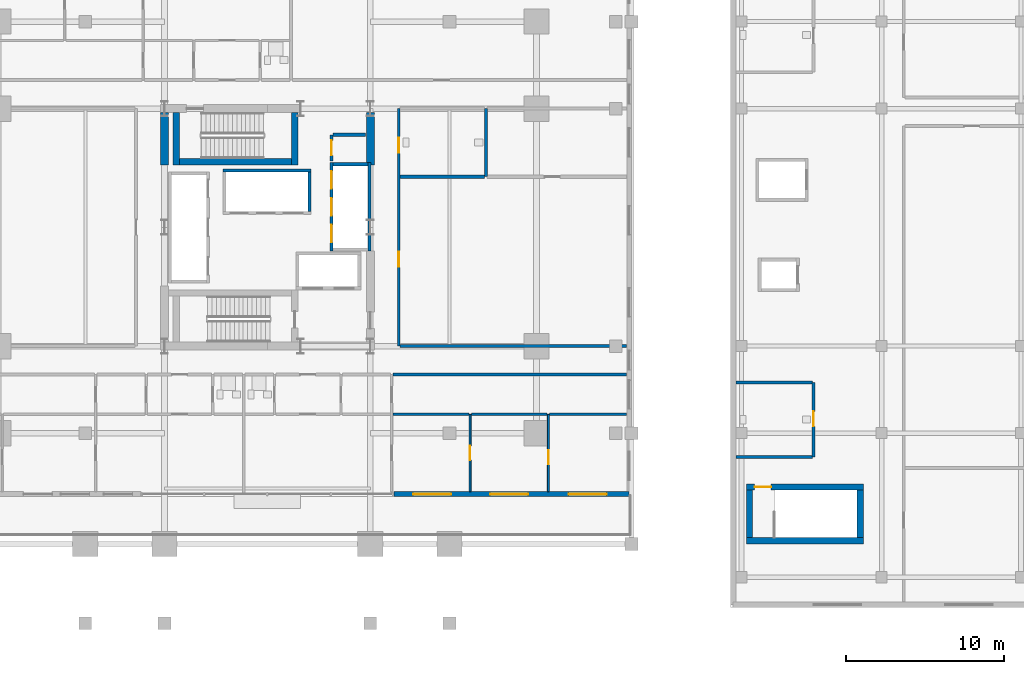
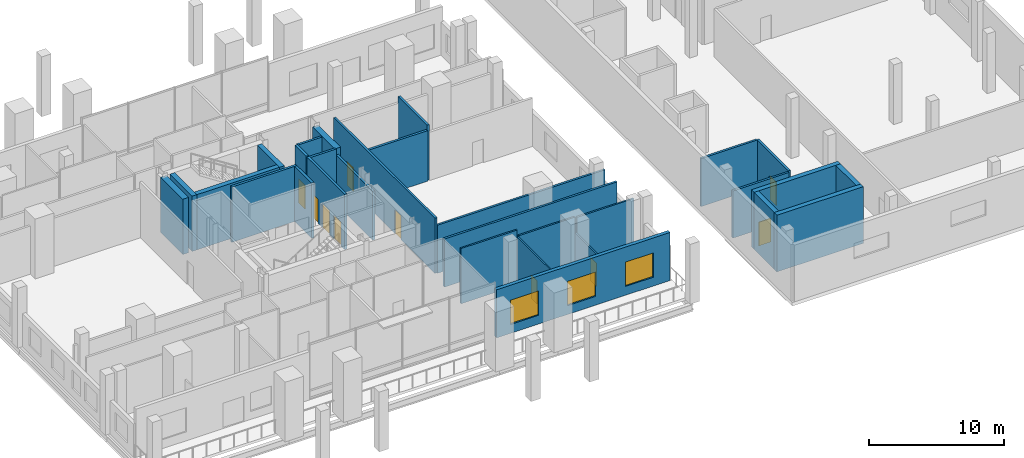
# One storey, part 18 of 25: 30 walls, 10 doors, 3 windows, 13 openings.
"""IFC4 building model written with IfcOpenShell, lengths in metres."""

from ifc_helpers import new_model, si_unit, direction, frame, frame_2d, origin, place, context, subcontext, project, spatial, rectangle, extrude, material, layer, layer_set, type_object, element, fill, save


model = new_model("IFC4")

# Units and contexts
model_context = context("Model", 3, precision=1e-05, world=origin(), true_north=direction((0.0, 1.0)))
body_context = subcontext(model_context, "Body", "Model", "MODEL_VIEW")
ifc_project = project(units=[si_unit("LENGTHUNIT", "METRE"), si_unit("AREAUNIT", "SQUARE_METRE"), si_unit("VOLUMEUNIT", "CUBIC_METRE"), si_unit("PLANEANGLEUNIT", "RADIAN"), si_unit("MASSUNIT", "GRAM", prefix="KILO")], contexts=[model_context])

# Site, building, storey
site_placement = place(None, origin())
site = spatial("IfcSite", under=ifc_project, at=site_placement, CompositionType="ELEMENT")
building_placement = place(site_placement, origin())
building = spatial("IfcBuilding", under=site, at=building_placement, Name="Barlavira Tower and Art Museum", CompositionType="ELEMENT")
storey_placement = place(building_placement, frame((0.0, 0.0, 22.199951171875)))
storey = spatial("IfcBuildingStorey", under=building, at=storey_placement, Name="L04", CompositionType="ELEMENT", Elevation=22.199951171875)

# Wall, opening, door
ifc_material_1 = material(Name="Gypsum acoustic stud partition", Category="gypsum")
ifc_layer_1 = layer(ifc_material_1, 0.1201171875, Name="Gypsum acoustic stud partition")
ifc_layer_set_1 = layer_set([ifc_layer_1], Name="Gypsum acoustic stud partition")
wall_type_1 = type_object("IfcWallType", Name="Apartment Internal Acoustic Partition 120", PredefinedType="PARTITIONING", material=ifc_layer_set_1)
wall_1_placement = place(storey_placement, frame((12.800048828125, -16.695068359375, 0.0), z_axis=(0.0, 0.0, 1.0), x_axis=(0.0, 1.0, 0.0)))
wall_1 = element("IfcWall", 1, at=wall_1_placement, inside=storey, type_object=wall_type_1, Name="L04 Partition Wall 18", PredefinedType="PARTITIONING", context=body_context, shape_type="SweptSolid", body=[
    extrude(rectangle(XDim=4.875, YDim=0.1201171875, at=frame_2d((2.4375, 0.0))), origin(), (0.0, 0.0, 1.0), 4.35595703125),
])
opening_1_placement = place(wall_1_placement, frame((1.985107421875, 0.0, 0.0)))
opening_1 = element("IfcOpeningElement", 2, at=opening_1_placement, cuts=wall_1, Name="Opening D-01", PredefinedType="OPENING", context=body_context, shape_type="SweptSolid", body=[
    extrude(rectangle(XDim=0.89990234375, YDim=2.10009765625, at=frame_2d((0.449951171875, 1.050048828125))), frame((0.0, 0.070068359375, 0.0), z_axis=(0.0, -1.0, 0.0), x_axis=(1.0, 0.0, 0.0)), (0.0, 0.0, 1.0), 0.14013671875),
])
ifc_material_2 = material(Name="Engineered coastal hardwood", Category="wood")
door_type_1 = type_object("IfcDoorType", Name="Internal Bedroom Timber Flush Door 900x2100", OperationType="NOTDEFINED", PredefinedType="DOOR", material=ifc_material_2)
door_1_placement = place(opening_1_placement, origin())
door_1 = element("IfcDoor", 3, at=door_1_placement, inside=storey, type_object=door_type_1, Name="Apartment P4-SE Bedroom 2 Door", OperationType="SINGLE_SWING_LEFT", OverallHeight=2.10009765625, OverallWidth=0.89990234375, PredefinedType="DOOR", context=body_context, shape_type="SweptSolid", body=[
    extrude(rectangle(XDim=0.89990234375, YDim=2.10009765625, at=frame_2d((0.449951171875, 1.050048828125))), frame((0.0, 0.02490234375, 0.0), z_axis=(0.0, -1.0, 0.0), x_axis=(1.0, 0.0, 0.0)), (0.0, 0.0, 1.0), 0.050048828125),
])
fill(opening_1, door_1)

wall_2_placement = place(storey_placement, frame((17.75, -16.695068359375, 0.0), z_axis=(0.0, 0.0, 1.0), x_axis=(0.0, 1.0, 0.0)))
wall_2 = element("IfcWall", 4, at=wall_2_placement, inside=storey, type_object=wall_type_1, Name="L04 Partition Wall 20", PredefinedType="PARTITIONING", context=body_context, shape_type="SweptSolid", body=[
    extrude(rectangle(XDim=4.875, YDim=0.1201171875, at=frame_2d((2.4375, 0.0))), origin(), (0.0, 0.0, 1.0), 2.985107421875),
])
opening_2_placement = place(wall_2_placement, frame((1.720703125, 0.0, 0.0)))
opening_2 = element("IfcOpeningElement", 5, at=opening_2_placement, cuts=wall_2, Name="Opening D-01", PredefinedType="OPENING", context=body_context, shape_type="SweptSolid", body=[
    extrude(rectangle(XDim=0.89990234375, YDim=2.10009765625, at=frame_2d((0.449951171875, 1.050048828125))), frame((0.0, 0.070068359375, 0.0), z_axis=(0.0, -1.0, 0.0), x_axis=(1.0, 0.0, 0.0)), (0.0, 0.0, 1.0), 0.14013671875),
])
door_2_placement = place(opening_2_placement, origin())
door_2 = element("IfcDoor", 6, at=door_2_placement, inside=storey, type_object=door_type_1, Name="Apartment P4-SE Sunroom Lounge 3 Door", OperationType="SINGLE_SWING_RIGHT", OverallHeight=2.10009765625, OverallWidth=0.89990234375, PredefinedType="DOOR", context=body_context, shape_type="SweptSolid", body=[
    extrude(rectangle(XDim=0.89990234375, YDim=2.10009765625, at=frame_2d((0.449951171875, 1.050048828125))), frame((0.0, 0.02490234375, 0.0), z_axis=(0.0, -1.0, 0.0), x_axis=(1.0, 0.0, 0.0)), (0.0, 0.0, 1.0), 0.050048828125),
])
fill(opening_2, door_2)

# Walls
ifc_material_3 = material(Name="Concrete C60", Category="concrete")
ifc_layer_2 = layer(ifc_material_3, 0.5, Name="Concrete C60")
ifc_layer_set_2 = layer_set([ifc_layer_2], Name="Concrete C60")
wall_type_2 = type_object("IfcWallType", Name="Core Structural Shear Wall 500 Concrete C60", PredefinedType="SHEAR", material=ifc_layer_set_2)
for number, where, z_axis, x_axis, name in (
    (7, (-6.5, 3.949951171875, 0.0), (0.0, 0.0, 1.0), (0.0, 1.0, 0.0), "L04 Core Shear Wall CS-W2"),
    (8, (6.5, 3.949951171875, 0.0), (0.0, 0.0, 1.0), (0.0, 1.0, 0.0), "L04 Core Shear Wall CS-E2"),
):
    element("IfcWall", number, at=place(storey_placement, frame(where, z_axis=z_axis, x_axis=x_axis)), inside=storey, type_object=wall_type_2, Name=name, PredefinedType="SHEAR", context=body_context, shape_type="SweptSolid", body=[
        extrude(rectangle(XDim=3.300048828125, YDim=0.5, at=frame_2d((1.64990234375, 0.0))), origin(), (0.0, 0.0, 1.0), 5.0),
    ])

# Wall, openings, doors
ifc_material_4 = material(Name="Autoclaved aerated concrete masonry", Category="masonry")
ifc_layer_3 = layer(ifc_material_4, 0.199951171875, Name="Autoclaved aerated concrete masonry")
ifc_layer_set_3 = layer_set([ifc_layer_3], Name="Autoclaved aerated concrete masonry")
wall_type_3 = type_object("IfcWallType", Name="Fire Compartment and Shaft Wall 200", PredefinedType="SOLIDWALL", material=ifc_layer_set_3)
wall_3_placement = place(storey_placement, frame((4.050048828125, -1.489990234375, 0.0), z_axis=(0.0, 0.0, 1.0), x_axis=(0.0, 1.0, 0.0)))
wall_3 = element("IfcWall", 9, at=wall_3_placement, inside=storey, type_object=wall_type_3, Name="L04 Mid-Rise Lift Front Shaft Wall", PredefinedType="SOLIDWALL", context=body_context, shape_type="SweptSolid", body=[
    extrude(rectangle(XDim=5.580078125, YDim=0.199951171875, at=frame_2d((2.7900390625, 0.0))), origin(), (0.0, 0.0, 1.0), 5.0),
])
opening_3_placement = place(wall_3_placement, frame((0.5400390625, 0.0, 0.0)))
opening_3 = element("IfcOpeningElement", 10, at=opening_3_placement, cuts=wall_3, Name="Opening LD-P", PredefinedType="OPENING", context=body_context, shape_type="SweptSolid", body=[
    extrude(rectangle(XDim=1.10009765625, YDim=2.14990234375, at=frame_2d((0.550048828125, 1.074951171875))), frame((0.0, 0.10986328125, 0.0), z_axis=(0.0, -1.0, 0.0), x_axis=(1.0, 0.0, 0.0)), (0.0, 0.0, 1.0), 0.219970703125),
])
opening_4_placement = place(wall_3_placement, frame((2.239990234375, 0.0, 0.0)))
opening_4 = element("IfcOpeningElement", 11, at=opening_4_placement, cuts=wall_3, Name="Opening LD-P", PredefinedType="OPENING", context=body_context, shape_type="SweptSolid", body=[
    extrude(rectangle(XDim=1.10009765625, YDim=2.14990234375, at=frame_2d((0.550048828125, 1.074951171875))), frame((0.0, 0.10986328125, 0.0), z_axis=(0.0, -1.0, 0.0), x_axis=(1.0, 0.0, 0.0)), (0.0, 0.0, 1.0), 0.219970703125),
])
opening_5_placement = place(wall_3_placement, frame((3.93994140625, 0.0, 0.0)))
opening_5 = element("IfcOpeningElement", 12, at=opening_5_placement, cuts=wall_3, Name="Opening LD-P", PredefinedType="OPENING", context=body_context, shape_type="SweptSolid", body=[
    extrude(rectangle(XDim=1.10009765625, YDim=2.14990234375, at=frame_2d((0.550048828125, 1.074951171875))), frame((0.0, 0.10986328125, 0.0), z_axis=(0.0, -1.0, 0.0), x_axis=(1.0, 0.0, 0.0)), (0.0, 0.0, 1.0), 0.219970703125),
])
ifc_material_5 = material(Name="Brushed stainless steel", Category="steel")
door_type_2 = type_object("IfcDoorType", Name="Passenger Lift Sliding Landing Door 1100x2150 FD60", OperationType="NOTDEFINED", PredefinedType="DOOR", material=ifc_material_5)
door_3_placement = place(opening_3_placement, origin())
door_3 = element("IfcDoor", 13, at=door_3_placement, inside=storey, type_object=door_type_2, Name="L04 Lift PM1 Sliding Landing Door", OperationType="DOUBLE_DOOR_SLIDING", OverallHeight=2.14990234375, OverallWidth=1.10009765625, PredefinedType="DOOR", context=body_context, shape_type="SweptSolid", body=[
    extrude(rectangle(XDim=1.10009765625, YDim=2.14990234375, at=frame_2d((0.550048828125, 1.074951171875))), frame((0.0, 0.02490234375, 0.0), z_axis=(0.0, -1.0, 0.0), x_axis=(1.0, 0.0, 0.0)), (0.0, 0.0, 1.0), 0.050048828125),
])
fill(opening_3, door_3)
door_4_placement = place(opening_4_placement, origin())
door_4 = element("IfcDoor", 14, at=door_4_placement, inside=storey, type_object=door_type_2, Name="L04 Lift PM2 Sliding Landing Door", OperationType="DOUBLE_DOOR_SLIDING", OverallHeight=2.14990234375, OverallWidth=1.10009765625, PredefinedType="DOOR", context=body_context, shape_type="SweptSolid", body=[
    extrude(rectangle(XDim=1.10009765625, YDim=2.14990234375, at=frame_2d((0.550048828125, 1.074951171875))), frame((0.0, 0.02490234375, 0.0), z_axis=(0.0, -1.0, 0.0), x_axis=(1.0, 0.0, 0.0)), (0.0, 0.0, 1.0), 0.050048828125),
])
fill(opening_4, door_4)
door_5_placement = place(opening_5_placement, origin())
door_5 = element("IfcDoor", 15, at=door_5_placement, inside=storey, type_object=door_type_2, Name="L04 Lift PM3 Sliding Landing Door", OperationType="DOUBLE_DOOR_SLIDING", OverallHeight=2.14990234375, OverallWidth=1.10009765625, PredefinedType="DOOR", context=body_context, shape_type="SweptSolid", body=[
    extrude(rectangle(XDim=1.10009765625, YDim=2.14990234375, at=frame_2d((0.550048828125, 1.074951171875))), frame((0.0, 0.02490234375, 0.0), z_axis=(0.0, -1.0, 0.0), x_axis=(1.0, 0.0, 0.0)), (0.0, 0.0, 1.0), 0.050048828125),
])
fill(opening_5, door_5)

# Walls
wall_4_placement = place(storey_placement, frame((6.449951171875, -1.489990234375, 0.0), z_axis=(0.0, 0.0, 1.0), x_axis=(0.0, 1.0, 0.0)))
element("IfcWall", 16, at=wall_4_placement, inside=storey, type_object=wall_type_3, Name="L04 Mid-Rise Lift Back Shaft Wall", PredefinedType="SOLIDWALL", context=body_context, shape_type="SweptSolid", body=[
    extrude(rectangle(XDim=5.580078125, YDim=0.199951171875, at=frame_2d((2.7900390625, 0.0))), origin(), (0.0, 0.0, 1.0), 4.43603515625),
])
wall_5_placement = place(storey_placement, frame((4.14990234375, 3.989990234375, 0.0), z_axis=(0.0, 0.0, 1.0), x_axis=(1.0, 0.0, 0.0)))
element("IfcWall", 17, at=wall_5_placement, inside=storey, type_object=wall_type_3, Name="L04 Mid-Rise Lift North Shaft Wall", PredefinedType="SOLIDWALL", context=body_context, shape_type="SweptSolid", body=[
    extrude(rectangle(XDim=2.2001953125, YDim=0.199951171875, at=frame_2d((1.10009765625, 0.0))), origin(), (0.0, 0.0, 1.0), 5.0),
])
wall_6_placement = place(storey_placement, frame((-2.820068359375, 3.60009765625, 0.0), z_axis=(0.0, 0.0, 1.0), x_axis=(1.0, 0.0, 0.0)))
element("IfcWall", 18, at=wall_6_placement, inside=storey, type_object=wall_type_3, Name="L04 High-Rise & Service Lift Back Wall", PredefinedType="SOLIDWALL", context=body_context, shape_type="SweptSolid", body=[
    extrude(rectangle(XDim=5.580078125, YDim=0.199951171875, at=frame_2d((2.7900390625, 0.0))), origin(), (0.0, 0.0, 1.0), 5.0),
])
wall_7_placement = place(storey_placement, frame((2.659912109375, 1.0, 0.0), z_axis=(0.0, 0.0, 1.0), x_axis=(0.0, 1.0, 0.0)))
element("IfcWall", 19, at=wall_7_placement, inside=storey, type_object=wall_type_3, Name="L04 High-Rise & Service Lift East Wall", PredefinedType="SOLIDWALL", context=body_context, shape_type="SweptSolid", body=[
    extrude(rectangle(XDim=2.5, YDim=0.199951171875, at=frame_2d((1.25, 0.0))), origin(), (0.0, 0.0, 1.0), 5.0),
])

# Wall, opening, door
wall_8_placement = place(storey_placement, frame((4.050048828125, 4.199951171875, 0.0), z_axis=(0.0, 0.0, 1.0), x_axis=(0.0, 1.0, 0.0)))
wall_8 = element("IfcWall", 20, at=wall_8_placement, inside=storey, type_object=wall_type_3, Name="L04 Partition Wall 14", PredefinedType="SOLIDWALL", context=body_context, shape_type="SweptSolid", body=[
    extrude(rectangle(XDim=1.650146484375, YDim=0.199951171875, at=frame_2d((0.8251953125, 0.0))), origin(), (0.0, 0.0, 1.0), 5.0),
])
opening_6_placement = place(wall_8_placement, frame((0.344970703125, 0.0, 0.0)))
opening_6 = element("IfcOpeningElement", 21, at=opening_6_placement, cuts=wall_8, Name="Opening FD-60", PredefinedType="OPENING", context=body_context, shape_type="SweptSolid", body=[
    extrude(rectangle(XDim=0.949951171875, YDim=2.14990234375, at=frame_2d((0.47509765625, 1.074951171875))), frame((0.0, 0.10986328125, 0.0), z_axis=(0.0, -1.0, 0.0), x_axis=(1.0, 0.0, 0.0)), (0.0, 0.0, 1.0), 0.219970703125),
])
door_type_3 = type_object("IfcDoorType", Name="Apartment Entrance and Riser Fire Door 950x2150 FD60S", OperationType="NOTDEFINED", PredefinedType="DOOR", material=ifc_material_5)
door_6_placement = place(opening_6_placement, origin())
door_6 = element("IfcDoor", 22, at=door_6_placement, inside=storey, type_object=door_type_3, Name="Telecom and BMS Distribution Room Door", OperationType="SINGLE_SWING_LEFT", OverallHeight=2.14990234375, OverallWidth=0.949951171875, PredefinedType="DOOR", context=body_context, shape_type="SweptSolid", body=[
    extrude(rectangle(XDim=0.949951171875, YDim=2.14990234375, at=frame_2d((0.47509765625, 1.074951171875))), frame((0.0, 0.02490234375, 0.0), z_axis=(0.0, -1.0, 0.0), x_axis=(1.0, 0.0, 0.0)), (0.0, 0.0, 1.0), 0.050048828125),
])
fill(opening_6, door_6)

# Walls
wall_9_placement = place(storey_placement, frame((13.800048828125, 3.199951171875, 0.0), z_axis=(0.0, 0.0, 1.0), x_axis=(0.0, 1.0, 0.0)))
element("IfcWall", 23, at=wall_9_placement, inside=storey, type_object=wall_type_3, Name="L04 Partition Wall 19", PredefinedType="SOLIDWALL", context=body_context, shape_type="SweptSolid", body=[
    extrude(rectangle(XDim=4.300048828125, YDim=0.199951171875, at=frame_2d((2.14990234375, 0.0))), origin(), (0.0, 0.0, 1.0), 5.0),
])
wall_10_placement = place(storey_placement, frame((8.3798828125, 3.199951171875, 0.0), z_axis=(0.0, 0.0, 1.0), x_axis=(1.0, 0.0, 0.0)))
element("IfcWall", 24, at=wall_10_placement, inside=storey, type_object=wall_type_3, Name="L04 Partition Wall 49", PredefinedType="SOLIDWALL", context=body_context, shape_type="SweptSolid", body=[
    extrude(rectangle(XDim=5.340087890625, YDim=0.199951171875, at=frame_2d((2.669921875, 0.0))), origin(), (0.0, 0.0, 1.0), 4.568115234375),
])
wall_11_placement = place(storey_placement, frame((4.1298828125, 5.85009765625, 0.0), z_axis=(0.0, 0.0, 1.0), x_axis=(1.0, 0.0, 0.0)))
element("IfcWall", 25, at=wall_11_placement, inside=storey, type_object=wall_type_3, Name="L04 Partition Wall 51", PredefinedType="SOLIDWALL", context=body_context, shape_type="SweptSolid", body=[
    extrude(rectangle(XDim=2.070068359375, YDim=0.199951171875, at=frame_2d((1.03515625, 0.0))), origin(), (0.0, 0.0, 1.0), 5.0),
])

# Wall, openings, doors
ifc_layer_4 = layer(ifc_material_1, 0.179931640625, Name="Gypsum acoustic stud partition")
ifc_layer_set_4 = layer_set([ifc_layer_4], Name="Gypsum acoustic stud partition")
wall_type_4 = type_object("IfcWallType", Name="Inter-Tenancy Party Partition Wall 180", PredefinedType="PARTITIONING", material=ifc_layer_set_4)
wall_12_placement = place(storey_placement, frame((8.300048828125, -7.5, 0.0), z_axis=(0.0, 0.0, 1.0), x_axis=(0.0, 1.0, 0.0)))
wall_12 = element("IfcWall", 26, at=wall_12_placement, inside=storey, type_object=wall_type_4, Name="L04 Partition Wall 17", PredefinedType="PARTITIONING", context=body_context, shape_type="SweptSolid", body=[
    extrude(rectangle(XDim=15.0, YDim=0.179931640625, at=frame_2d((7.5, 0.0))), origin(), (0.0, 0.0, 1.0), 5.0),
])
opening_7_placement = place(wall_12_placement, frame((5.02490234375, 0.0, 0.0)))
opening_7 = element("IfcOpeningElement", 27, at=opening_7_placement, cuts=wall_12, Name="Opening FD-60", PredefinedType="OPENING", context=body_context, shape_type="SweptSolid", body=[
    extrude(rectangle(XDim=0.949951171875, YDim=2.14990234375, at=frame_2d((0.47509765625, 1.074951171875))), frame((0.0, 0.10009765625, 0.0), z_axis=(0.0, -1.0, 0.0), x_axis=(1.0, 0.0, 0.0)), (0.0, 0.0, 1.0), 0.199951171875),
])
opening_8_placement = place(wall_12_placement, frame((12.22509765625, 0.0, 0.0)))
opening_8 = element("IfcOpeningElement", 28, at=opening_8_placement, cuts=wall_12, Name="Opening FD-60", PredefinedType="OPENING", context=body_context, shape_type="SweptSolid", body=[
    extrude(rectangle(XDim=0.949951171875, YDim=2.14990234375, at=frame_2d((0.47509765625, 1.074951171875))), frame((0.0, 0.10009765625, 0.0), z_axis=(0.0, -1.0, 0.0), x_axis=(1.0, 0.0, 0.0)), (0.0, 0.0, 1.0), 0.199951171875),
])
door_7_placement = place(opening_7_placement, origin())
door_7 = element("IfcDoor", 29, at=door_7_placement, inside=storey, type_object=door_type_3, Name="L04 East Arcade Overlook Salon Door", OperationType="SINGLE_SWING_LEFT", OverallHeight=2.14990234375, OverallWidth=0.949951171875, PredefinedType="DOOR", context=body_context, shape_type="SweptSolid", body=[
    extrude(rectangle(XDim=0.949951171875, YDim=2.14990234375, at=frame_2d((0.47509765625, 1.074951171875))), frame((0.0, 0.02490234375, 0.0), z_axis=(0.0, -1.0, 0.0), x_axis=(1.0, 0.0, 0.0)), (0.0, 0.0, 1.0), 0.050048828125),
])
fill(opening_7, door_7)
door_8_placement = place(opening_8_placement, origin())
door_8 = element("IfcDoor", 30, at=door_8_placement, inside=storey, type_object=door_type_3, Name="L04 Podium Accessible Restroom Door", OperationType="SINGLE_SWING_RIGHT", OverallHeight=2.14990234375, OverallWidth=0.949951171875, PredefinedType="DOOR", context=body_context, shape_type="SweptSolid", body=[
    extrude(rectangle(XDim=0.949951171875, YDim=2.14990234375, at=frame_2d((0.47509765625, 1.074951171875))), frame((0.0, 0.02490234375, 0.0), z_axis=(0.0, -1.0, 0.0), x_axis=(1.0, 0.0, 0.0)), (0.0, 0.0, 1.0), 0.050048828125),
])
fill(opening_8, door_8)

# Wall, opening, door
wall_13_placement = place(storey_placement, frame((34.5, -14.5, 0.0), z_axis=(0.0, 0.0, 1.0), x_axis=(0.0, 1.0, 0.0)))
wall_13 = element("IfcWall", 31, at=wall_13_placement, inside=storey, type_object=wall_type_4, Name="L04 Partition Wall 21", PredefinedType="PARTITIONING", context=body_context, shape_type="SweptSolid", body=[
    extrude(rectangle(XDim=4.699951171875, YDim=0.179931640625, at=frame_2d((2.35009765625, 0.0))), origin(), (0.0, 0.0, 1.0), 4.34716796875),
])
opening_9_placement = place(wall_13_placement, frame((1.925048828125, 0.0, 0.0)))
opening_9 = element("IfcOpeningElement", 32, at=opening_9_placement, cuts=wall_13, Name="Opening FD-60", PredefinedType="OPENING", context=body_context, shape_type="SweptSolid", body=[
    extrude(rectangle(XDim=0.949951171875, YDim=2.14990234375, at=frame_2d((0.47509765625, 1.074951171875))), frame((0.0, 0.10009765625, 0.0), z_axis=(0.0, -1.0, 0.0), x_axis=(1.0, 0.0, 0.0)), (0.0, 0.0, 1.0), 0.199951171875),
])
door_9_placement = place(opening_9_placement, origin())
door_9 = element("IfcDoor", 33, at=door_9_placement, inside=storey, type_object=door_type_3, Name="L04 Museum Accessible Restroom Door", OperationType="SINGLE_SWING_LEFT", OverallHeight=2.14990234375, OverallWidth=0.949951171875, PredefinedType="DOOR", context=body_context, shape_type="SweptSolid", body=[
    extrude(rectangle(XDim=0.949951171875, YDim=2.14990234375, at=frame_2d((0.47509765625, 1.074951171875))), frame((0.0, 0.02490234375, 0.0), z_axis=(0.0, -1.0, 0.0), x_axis=(1.0, 0.0, 0.0)), (0.0, 0.0, 1.0), 0.050048828125),
])
fill(opening_9, door_9)

# Walls
wall_14_placement = place(storey_placement, frame((29.60498046875, -14.5, 0.0), z_axis=(0.0, 0.0, 1.0), x_axis=(1.0, 0.0, 0.0)))
element("IfcWall", 34, at=wall_14_placement, inside=storey, type_object=wall_type_4, Name="L04 Partition Wall 26", PredefinedType="PARTITIONING", context=body_context, shape_type="SweptSolid", body=[
    extrude(rectangle(XDim=4.81494140625, YDim=0.179931640625, at=frame_2d((2.407470703125, 0.0))), origin(), (0.0, 0.0, 1.0), 4.26416015625),
])
wall_15_placement = place(storey_placement, frame((29.60498046875, -9.800048828125, 0.0), z_axis=(0.0, 0.0, 1.0), x_axis=(1.0, 0.0, 0.0)))
element("IfcWall", 35, at=wall_15_placement, inside=storey, type_object=wall_type_4, Name="L04 Partition Wall 38", PredefinedType="PARTITIONING", context=body_context, shape_type="SweptSolid", body=[
    extrude(rectangle(XDim=4.81494140625, YDim=0.179931640625, at=frame_2d((2.407470703125, 0.0))), origin(), (0.0, 0.0, 1.0), 4.34716796875),
])
wall_16_placement = place(storey_placement, frame((7.929931640625, -9.300048828125, 0.0), z_axis=(0.0, 0.0, 1.0), x_axis=(1.0, 0.0, 0.0)))
element("IfcWall", 36, at=wall_16_placement, inside=storey, type_object=wall_type_4, Name="L04 Partition Wall 46", PredefinedType="PARTITIONING", context=body_context, shape_type="SweptSolid", body=[
    extrude(rectangle(XDim=14.76513671875, YDim=0.179931640625, at=frame_2d((7.382568359375, 0.0))), origin(), (0.0, 0.0, 1.0), 4.35595703125),
])
wall_17_placement = place(storey_placement, frame((8.3798828125, -7.5, 0.0), z_axis=(0.0, 0.0, 1.0), x_axis=(1.0, 0.0, 0.0)))
element("IfcWall", 37, at=wall_17_placement, inside=storey, type_object=wall_type_4, Name="L04 Partition Wall 48", PredefinedType="PARTITIONING", context=body_context, shape_type="SweptSolid", body=[
    extrude(rectangle(XDim=14.315185546875, YDim=0.179931640625, at=frame_2d((7.15771484375, 0.0))), origin(), (0.0, 0.0, 1.0), 4.35595703125),
])
ifc_layer_5 = layer(ifc_material_1, 0.139892578125, Name="Gypsum acoustic stud partition")
ifc_layer_set_5 = layer_set([ifc_layer_5], Name="Gypsum acoustic stud partition")
wall_type_5 = type_object("IfcWallType", Name="Moisture-Resistant Bathroom Partition 140", PredefinedType="PARTITIONING", material=ifc_layer_set_5)
wall_18_placement = place(storey_placement, frame((7.929931640625, -11.800048828125, 0.0), z_axis=(0.0, 0.0, 1.0), x_axis=(1.0, 0.0, 0.0)))
element("IfcWall", 38, at=wall_18_placement, inside=storey, type_object=wall_type_5, Name="L04 Partition Wall 35", PredefinedType="PARTITIONING", context=body_context, shape_type="SweptSolid", body=[
    extrude(rectangle(XDim=4.7900390625, YDim=0.139892578125, at=frame_2d((2.39501953125, 0.0))), origin(), (0.0, 0.0, 1.0), 5.0),
])
wall_19_placement = place(storey_placement, frame((12.8798828125, -11.800048828125, 0.0), z_axis=(0.0, 0.0, 1.0), x_axis=(1.0, 0.0, 0.0)))
element("IfcWall", 39, at=wall_19_placement, inside=storey, type_object=wall_type_5, Name="L04 Partition Wall 36", PredefinedType="PARTITIONING", context=body_context, shape_type="SweptSolid", body=[
    extrude(rectangle(XDim=4.7900390625, YDim=0.139892578125, at=frame_2d((2.39501953125, 0.0))), origin(), (0.0, 0.0, 1.0), 4.43603515625),
])
wall_20_placement = place(storey_placement, frame((17.830078125, -11.800048828125, 0.0), z_axis=(0.0, 0.0, 1.0), x_axis=(1.0, 0.0, 0.0)))
element("IfcWall", 40, at=wall_20_placement, inside=storey, type_object=wall_type_5, Name="L04 Partition Wall 37", PredefinedType="PARTITIONING", context=body_context, shape_type="SweptSolid", body=[
    extrude(rectangle(XDim=4.864990234375, YDim=0.139892578125, at=frame_2d((2.4326171875, 0.0))), origin(), (0.0, 0.0, 1.0), 4.35595703125),
])

# Wall, openings, windows
ifc_material_6 = material(Name="Precast concrete C40", Category="concrete")
ifc_layer_6 = layer(ifc_material_6, 0.300048828125, Name="Precast concrete C40")
ifc_layer_set_6 = layer_set([ifc_layer_6], Name="Precast concrete C40")
wall_type_6 = type_object("IfcWallType", Name="Podium Architectural Precast Facade Wall 300 Concrete C40", PredefinedType="SOLIDWALL", material=ifc_layer_set_6)
wall_21_placement = place(storey_placement, frame((22.85009765625, -16.85009765625, 0.0), z_axis=(0.0, 0.0, 1.0), x_axis=(-1.0, 0.0, 0.0)))
wall_21 = element("IfcWall", 41, at=wall_21_placement, inside=storey, type_object=wall_type_6, Name="L04 Podium South-East Wall", PredefinedType="SOLIDWALL", context=body_context, shape_type="SweptSolid", body=[
    extrude(rectangle(XDim=14.85009765625, YDim=0.300048828125, at=frame_2d((7.425048828125, 0.0))), origin(), (0.0, 0.0, 1.0), 4.35595703125),
])
opening_10_placement = place(wall_21_placement, frame((1.425048828125, 0.0, 0.800048828125)))
opening_10 = element("IfcOpeningElement", 42, at=opening_10_placement, cuts=wall_21, Name="Opening WN-02", PredefinedType="OPENING", context=body_context, shape_type="SweptSolid", body=[
    extrude(rectangle(XDim=2.39990234375, YDim=2.199951171875, at=frame_2d((1.199951171875, 1.10009765625))), frame((0.0, 0.16015625, 0.0), z_axis=(0.0, -1.0, 0.0), x_axis=(1.0, 0.0, 0.0)), (0.0, 0.0, 1.0), 0.320068359375),
])
opening_11_placement = place(wall_21_placement, frame((6.375, 0.0, 0.800048828125)))
opening_11 = element("IfcOpeningElement", 43, at=opening_11_placement, cuts=wall_21, Name="Opening WN-02", PredefinedType="OPENING", context=body_context, shape_type="SweptSolid", body=[
    extrude(rectangle(XDim=2.39990234375, YDim=2.199951171875, at=frame_2d((1.199951171875, 1.10009765625))), frame((0.0, 0.16015625, 0.0), z_axis=(0.0, -1.0, 0.0), x_axis=(1.0, 0.0, 0.0)), (0.0, 0.0, 1.0), 0.320068359375),
])
opening_12_placement = place(wall_21_placement, frame((11.25, 0.0, 0.800048828125)))
opening_12 = element("IfcOpeningElement", 44, at=opening_12_placement, cuts=wall_21, Name="Opening WN-02", PredefinedType="OPENING", context=body_context, shape_type="SweptSolid", body=[
    extrude(rectangle(XDim=2.39990234375, YDim=2.199951171875, at=frame_2d((1.199951171875, 1.10009765625))), frame((0.0, 0.16015625, 0.0), z_axis=(0.0, -1.0, 0.0), x_axis=(1.0, 0.0, 0.0)), (0.0, 0.0, 1.0), 0.320068359375),
])
ifc_material_7 = material(Name="Low-iron coastal laminated glass", Category="glass")
window_type = type_object("IfcWindowType", Name="Podium Garden Gallery Window 2400x2200", PartitioningType="SINGLE_PANEL", PredefinedType="WINDOW", material=ifc_material_7)
window_1_placement = place(opening_10_placement, origin())
window_1 = element("IfcWindow", 45, at=window_1_placement, inside=storey, type_object=window_type, Name="L04 Punched Facade Window EW-L04-SE-1", OverallHeight=2.199951171875, OverallWidth=2.39990234375, PartitioningType="SINGLE_PANEL", PredefinedType="WINDOW", context=body_context, shape_type="SweptSolid", body=[
    extrude(rectangle(XDim=2.39990234375, YDim=2.199951171875, at=frame_2d((1.199951171875, 1.10009765625))), frame((0.0, 0.030029296875, 0.0), z_axis=(0.0, -1.0, 0.0), x_axis=(1.0, 0.0, 0.0)), (0.0, 0.0, 1.0), 0.06005859375),
])
fill(opening_10, window_1)
window_2_placement = place(opening_11_placement, origin())
window_2 = element("IfcWindow", 46, at=window_2_placement, inside=storey, type_object=window_type, Name="L04 Punched Facade Window EW-L04-SE-2", OverallHeight=2.199951171875, OverallWidth=2.39990234375, PartitioningType="SINGLE_PANEL", PredefinedType="WINDOW", context=body_context, shape_type="SweptSolid", body=[
    extrude(rectangle(XDim=2.39990234375, YDim=2.199951171875, at=frame_2d((1.199951171875, 1.10009765625))), frame((0.0, 0.030029296875, 0.0), z_axis=(0.0, -1.0, 0.0), x_axis=(1.0, 0.0, 0.0)), (0.0, 0.0, 1.0), 0.06005859375),
])
fill(opening_11, window_2)
window_3_placement = place(opening_12_placement, origin())
window_3 = element("IfcWindow", 47, at=window_3_placement, inside=storey, type_object=window_type, Name="L04 Punched Facade Window EW-L04-SE-3", OverallHeight=2.199951171875, OverallWidth=2.39990234375, PartitioningType="SINGLE_PANEL", PredefinedType="WINDOW", context=body_context, shape_type="SweptSolid", body=[
    extrude(rectangle(XDim=2.39990234375, YDim=2.199951171875, at=frame_2d((1.199951171875, 1.10009765625))), frame((0.0, 0.030029296875, 0.0), z_axis=(0.0, -1.0, 0.0), x_axis=(1.0, 0.0, 0.0)), (0.0, 0.0, 1.0), 0.06005859375),
])
fill(opening_12, window_3)

# Walls
ifc_material_8 = material(Name="Concrete C55", Category="concrete")
ifc_layer_7 = layer(ifc_material_8, 0.39990234375, Name="Concrete C55")
ifc_layer_set_7 = layer_set([ifc_layer_7], Name="Concrete C55")
wall_type_7 = type_object("IfcWallType", Name="Upper Core Shear Wall 400 Concrete C55", PredefinedType="SHEAR", material=ifc_layer_set_7)
wall_22_placement = place(storey_placement, frame((-5.550048828125, 4.14990234375, 0.0), z_axis=(0.0, 0.0, 1.0), x_axis=(1.0, 0.0, 0.0)))
element("IfcWall", 48, at=wall_22_placement, inside=storey, type_object=wall_type_7, Name="L04 ST-T2 South Shaft Wall", PredefinedType="SHEAR", context=body_context, shape_type="SweptSolid", body=[
    extrude(rectangle(XDim=7.080078125, YDim=0.39990234375, at=frame_2d((3.5400390625, 0.0))), origin(), (0.0, 0.0, 1.0), 5.0),
])
for number, where, z_axis, x_axis, name in (
    (49, (1.72998046875, 3.949951171875, 0.0), (0.0, 0.0, 1.0), (0.0, 1.0, 0.0), "L04 ST-T2 East Half-Landing Wall"),
    (50, (-5.75, 3.949951171875, 0.0), (0.0, 0.0, 1.0), (0.0, 1.0, 0.0), "L04 ST-T2 West Shaft Wall"),
):
    element("IfcWall", number, at=place(storey_placement, frame(where, z_axis=z_axis, x_axis=x_axis)), inside=storey, type_object=wall_type_7, Name=name, PredefinedType="SHEAR", context=body_context, shape_type="SweptSolid", body=[
        extrude(rectangle(XDim=3.300048828125, YDim=0.39990234375, at=frame_2d((1.64990234375, 0.0))), origin(), (0.0, 0.0, 1.0), 5.0),
    ])
wall_23_placement = place(storey_placement, frame((37.64990234375, -19.800048828125, 0.0), z_axis=(0.0, 0.0, 1.0), x_axis=(-1.0, 0.0, 0.0)))
element("IfcWall", 51, at=wall_23_placement, inside=storey, type_object=wall_type_7, Name="L04 ST-M1 South Shaft Wall", PredefinedType="SHEAR", context=body_context, shape_type="SweptSolid", body=[
    extrude(rectangle(XDim=7.39990234375, YDim=0.39990234375, at=frame_2d((3.699951171875, 0.0))), origin(), (0.0, 0.0, 1.0), 5.130126953125),
])
for number, where, z_axis, x_axis, name in (
    (52, (37.449951171875, -19.60009765625, 0.0), (0.0, 0.0, 1.0), (0.0, 1.0, 0.0), "L04 ST-M1 East Half-Landing Wall"),
    (53, (30.449951171875, -19.60009765625, 0.0), (0.0, 0.0, 1.0), (0.0, 1.0, 0.0), "L04 ST-M1 West Shaft Wall"),
):
    element("IfcWall", number, at=place(storey_placement, frame(where, z_axis=z_axis, x_axis=x_axis)), inside=storey, type_object=wall_type_7, Name=name, PredefinedType="SHEAR", context=body_context, shape_type="SweptSolid", body=[
        extrude(rectangle(XDim=3.0, YDim=0.39990234375, at=frame_2d((1.5, 0.0))), origin(), (0.0, 0.0, 1.0), 5.130126953125),
    ])

# Wall, opening, door
wall_24_placement = place(storey_placement, frame((30.25, -16.39990234375, 0.0), z_axis=(0.0, 0.0, 1.0), x_axis=(1.0, 0.0, 0.0)))
wall_24 = element("IfcWall", 54, at=wall_24_placement, inside=storey, type_object=wall_type_7, Name="L04 ST-M1 North Landing Wall", PredefinedType="SHEAR", context=body_context, shape_type="SweptSolid", body=[
    extrude(rectangle(XDim=7.39990234375, YDim=0.39990234375, at=frame_2d((3.699951171875, 0.0))), origin(), (0.0, 0.0, 1.0), 5.130126953125),
])
opening_13_placement = place(wall_24_placement, frame((0.52001953125, 0.0, 0.0)))
opening_13 = element("IfcOpeningElement", 55, at=opening_13_placement, cuts=wall_24, Name="Opening FD-90", PredefinedType="OPENING", context=body_context, shape_type="SweptSolid", body=[
    extrude(rectangle(XDim=1.050048828125, YDim=2.14990234375, at=frame_2d((0.52490234375, 1.074951171875))), frame((0.0, 0.2099609375, 0.0), z_axis=(0.0, -1.0, 0.0), x_axis=(1.0, 0.0, 0.0)), (0.0, 0.0, 1.0), 0.419921875),
])
door_type_4 = type_object("IfcDoorType", Name="Stair and Refuge Fire Door 1050x2150 FD90S", OperationType="NOTDEFINED", PredefinedType="DOOR", material=ifc_material_5)
door_10_placement = place(opening_13_placement, origin())
door_10 = element("IfcDoor", 56, at=door_10_placement, inside=storey, type_object=door_type_4, Name="L04 Museum South Stair ST-M1 Fire Door", OperationType="SINGLE_SWING_LEFT", OverallHeight=2.14990234375, OverallWidth=1.050048828125, PredefinedType="DOOR", context=body_context, shape_type="SweptSolid", body=[
    extrude(rectangle(XDim=1.050048828125, YDim=2.14990234375, at=frame_2d((0.52490234375, 1.074951171875))), frame((0.0, 0.02490234375, 0.0), z_axis=(0.0, -1.0, 0.0), x_axis=(1.0, 0.0, 0.0)), (0.0, 0.0, 1.0), 0.050048828125),
])
fill(opening_13, door_10)

save(model, "model.ifc")
